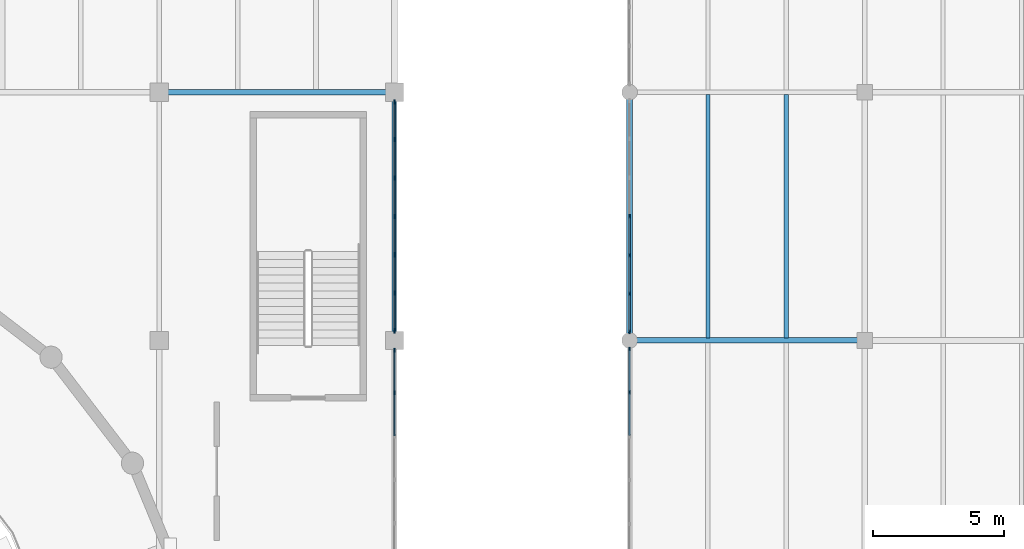
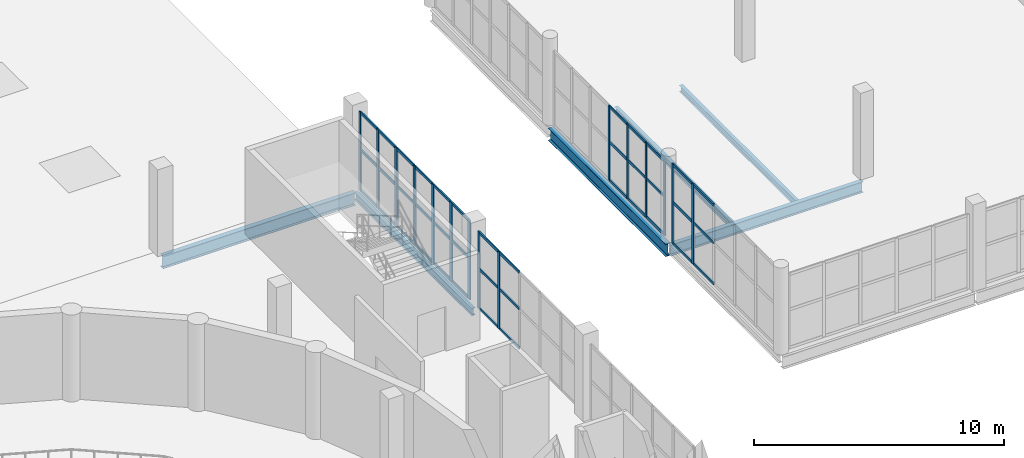
# One storey, part 37 of 73: 54 members, 6 beams, 4 elements without a shape of their own.
"""IFC4 building model written with IfcOpenShell, lengths in metres."""

from ifc_helpers import new_model, si_unit, direction, frame, origin, origin_2d, place, context, subcontext, project, spatial, rectangle, i_section, extrude, material, layer, layer_set, material_profile, profile_set, type_object, element, aggregate, save


model = new_model("IFC4")

# Units and contexts
model_context = context("Model", 3, precision=1e-05, world=origin(), true_north=direction((0.0, 1.0)))
body_context = subcontext(model_context, "Body", "Model", "MODEL_VIEW")
ifc_project = project(units=[si_unit("LENGTHUNIT", "METRE"), si_unit("AREAUNIT", "SQUARE_METRE"), si_unit("VOLUMEUNIT", "CUBIC_METRE"), si_unit("PLANEANGLEUNIT", "RADIAN"), si_unit("MASSUNIT", "GRAM", prefix="KILO")], contexts=[model_context])

# Site, building, storey
site_placement = place(None, origin())
site = spatial("IfcSite", under=ifc_project, at=site_placement, CompositionType="ELEMENT")
building_placement = place(site_placement, origin())
building = spatial("IfcBuilding", under=site, at=building_placement, Name="Marnock Terrace Opera House", CompositionType="ELEMENT")
storey_placement = place(building_placement, frame((0.0, 0.0, 14.699951171875)))
storey = spatial("IfcBuildingStorey", under=building, at=storey_placement, Name="L03", CompositionType="ELEMENT", Elevation=14.699951171875)

# Beams
ifc_material_1 = material(Name="Steel Grade 350 (AS/NZS 3679.1)", Category="steel")
ifc_material_profile_1 = material_profile(ifc_material_1, i_section(OverallWidth=0.1708984375, OverallDepth=0.355712890625, WebThickness=0.00732421875, FlangeThickness=0.011474609375, FilletRadius=0.011474609375, at=origin_2d()))
ifc_profile_set_1 = profile_set([ifc_material_profile_1], Name="Steel Grade 350 (AS/NZS 3679.1)")
beam_type_1 = type_object("IfcBeamType", Name="BM-GIRD-360", PredefinedType="BEAM", material=ifc_profile_set_1)
beam_1_placement = place(storey_placement, frame((109.0, 75.050048828125, -0.437744140625), z_axis=(0.0, 1.0, 0.0), x_axis=(-1.0, 0.0, 0.0)))
element("IfcBeam", 1, at=beam_1_placement, inside=storey, type_object=beam_type_1, Name="L03 girder (X=109.0, 75.0..84.5)", PredefinedType="BEAM", context=body_context, shape_type="SweptSolid", body=[
    extrude(i_section(OverallWidth=0.1708984375, OverallDepth=0.355712890625, WebThickness=0.00732421875, FlangeThickness=0.011474609375, FilletRadius=0.011474609375, at=origin_2d()), origin(), (0.0, 0.0, 1.0), 9.39990234375),
])
ifc_material_profile_2 = material_profile(ifc_material_1, i_section(OverallWidth=0.208984375, OverallDepth=0.532958984375, WebThickness=0.01025390625, FlangeThickness=0.015625, FilletRadius=0.013916015625, at=origin_2d()))
ifc_profile_set_2 = profile_set([ifc_material_profile_2], Name="Steel Grade 350 (AS/NZS 3679.1)")
beam_type_2 = type_object("IfcBeamType", Name="BM-GIRD-530A", PredefinedType="BEAM", material=ifc_profile_set_2)
beam_2_placement = place(storey_placement, frame((118.050048828125, 75.0, -0.5263671875), z_axis=(1.0, 0.0, 0.0), x_axis=(0.0, 1.0, 0.0)))
element("IfcBeam", 2, at=beam_2_placement, inside=storey, type_object=beam_type_2, Name="L03 girder (118.0..127.0, Y=75.0)", PredefinedType="BEAM", context=body_context, shape_type="SweptSolid", body=[
    extrude(i_section(OverallWidth=0.208984375, OverallDepth=0.532958984375, WebThickness=0.01025390625, FlangeThickness=0.015625, FilletRadius=0.013916015625, at=origin_2d()), origin(), (0.0, 0.0, 1.0), 8.89990234375),
])
ifc_material_profile_3 = material_profile(ifc_material_1, i_section(OverallWidth=0.22900390625, OverallDepth=0.611572265625, WebThickness=0.011962890625, FlangeThickness=0.01953125, FilletRadius=0.013916015625, at=origin_2d()))
ifc_profile_set_3 = profile_set([ifc_material_profile_3], Name="Steel Grade 350 (AS/NZS 3679.1)")
beam_type_3 = type_object("IfcBeamType", Name="BM-GIRD-610A", PredefinedType="BEAM", material=ifc_profile_set_3)
beam_3_placement = place(storey_placement, frame((100.050048828125, 84.5, -0.565673828125), z_axis=(1.0, 0.0, 0.0), x_axis=(0.0, 1.0, 0.0)))
element("IfcBeam", 3, at=beam_3_placement, inside=storey, type_object=beam_type_3, Name="L03 girder (100.0..109.0, Y=84.5)", PredefinedType="BEAM", context=body_context, shape_type="SweptSolid", body=[
    extrude(i_section(OverallWidth=0.22900390625, OverallDepth=0.611572265625, WebThickness=0.011962890625, FlangeThickness=0.01953125, FilletRadius=0.013916015625, at=origin_2d()), origin(), (0.0, 0.0, 1.0), 8.89990234375),
])
ifc_material_profile_4 = material_profile(ifc_material_1, i_section(OverallWidth=0.22802734375, OverallDepth=0.60205078125, WebThickness=0.010498046875, FlangeThickness=0.014892578125, FilletRadius=0.013916015625, at=origin_2d()))
ifc_profile_set_4 = profile_set([ifc_material_profile_4], Name="Steel Grade 350 (AS/NZS 3679.1)")
beam_type_4 = type_object("IfcBeamType", Name="BM-GIRD-610C", PredefinedType="BEAM", material=ifc_profile_set_4)
beam_4_placement = place(storey_placement, frame((118.0, 75.050048828125, -0.56103515625), z_axis=(0.0, 1.0, 0.0), x_axis=(-1.0, 0.0, 0.0)))
element("IfcBeam", 4, at=beam_4_placement, inside=storey, type_object=beam_type_4, Name="L03 girder (X=118.0, 75.0..84.5)", PredefinedType="BEAM", context=body_context, shape_type="SweptSolid", body=[
    extrude(i_section(OverallWidth=0.22802734375, OverallDepth=0.60205078125, WebThickness=0.010498046875, FlangeThickness=0.014892578125, FilletRadius=0.013916015625, at=origin_2d()), origin(), (0.0, 0.0, 1.0), 9.39990234375),
])
ifc_material_profile_5 = material_profile(ifc_material_1, i_section(OverallWidth=0.166015625, OverallDepth=0.30712890625, WebThickness=0.006591796875, FlangeThickness=0.01171875, FilletRadius=0.011474609375, at=origin_2d()))
ifc_profile_set_5 = profile_set([ifc_material_profile_5], Name="Steel Grade 350 (AS/NZS 3679.1)")
beam_type_5 = type_object("IfcBeamType", Name="BM-JOIST-310A", PredefinedType="JOIST", material=ifc_profile_set_5)
for number, where, z_axis, x_axis, name in (
    (5, (121.0, 75.099609375, -0.41357421875), (0.0, 1.0, 0.0), (-1.0, 0.0, 0.0), "L03 secondary joist 13.9.1"),
    (6, (124.0, 75.099609375, -0.41357421875), (0.0, 1.0, 0.0), (-1.0, 0.0, 0.0), "L03 secondary joist 13.9.2"),
):
    element("IfcBeam", number, at=place(storey_placement, frame(where, z_axis=z_axis, x_axis=x_axis)), inside=storey, type_object=beam_type_5, Name=name, PredefinedType="JOIST", context=body_context, shape_type="SweptSolid", body=[
        extrude(i_section(OverallWidth=0.166015625, OverallDepth=0.30712890625, WebThickness=0.006591796875, FlangeThickness=0.01171875, FilletRadius=0.011474609375, at=origin_2d()), origin(), (0.0, 0.0, 1.0), 9.309814453125),
    ])

# Curtain wall, members
ifc_material_2 = material(Name="Anodised architectural bronze aluminium framing", Category="aluminium")
ifc_layer_1 = layer(ifc_material_2, 0.159912109375)
ifc_layer_set_1 = layer_set([ifc_layer_1], Name="Anodised architectural bronze aluminium framing")
curtain_wall_type_1 = type_object("IfcCurtainWallType", Name="CW-FOYER-90x42", PredefinedType="NOTDEFINED", material=ifc_layer_set_1)
curtain_wall_1_placement = place(storey_placement, origin())
curtain_wall_1 = element("IfcCurtainWall", 7, at=curtain_wall_1_placement, inside=storey, type_object=curtain_wall_type_1, Name="L03 glazed Beaux-Arts colonnade curtain wall CW-V1E-L03-08", PredefinedType="NOTDEFINED")
ifc_material_profile_6 = material_profile(ifc_material_2, rectangle(XDim=0.06005859375, YDim=0.14990234375, at=origin_2d()))
ifc_profile_set_6 = profile_set([ifc_material_profile_6], Name="Anodised architectural bronze aluminium framing")
member_type_1 = type_object("IfcMemberType", Name="CWM-60x150", PredefinedType="MULLION", material=ifc_profile_set_6)
member_1_placement = place(storey_placement, frame((109.0, 72.992431640625, 0.0), z_axis=(0.0, 0.0, 1.0), x_axis=(-1.0, 0.0, 0.0)))
member_1 = element("IfcMember", 8, at=member_1_placement, type_object=member_type_1, Name="CW-68 mullion 5", PredefinedType="MULLION", context=body_context, shape_type="SweptSolid", body=[
    extrude(rectangle(XDim=0.06005859375, YDim=0.14990234375, at=origin_2d()), origin(), (0.0, 0.0, 1.0), 3.7626953125),
])
member_2_placement = place(storey_placement, frame((109.0, 74.6240234375, 0.0), z_axis=(0.0, 0.0, 1.0), x_axis=(-1.0, 0.0, 0.0)))
member_2 = element("IfcMember", 9, at=member_2_placement, type_object=member_type_1, Name="CW-68 mullion 6", PredefinedType="MULLION", context=body_context, shape_type="SweptSolid", body=[
    extrude(rectangle(XDim=0.06005859375, YDim=0.14990234375, at=origin_2d()), origin(), (0.0, 0.0, 1.0), 3.7626953125),
])

ifc_layer_2 = layer(ifc_material_2, 0.159912109375)
ifc_layer_set_2 = layer_set([ifc_layer_2], Name="Anodised architectural bronze aluminium framing")
curtain_wall_type_2 = type_object("IfcCurtainWallType", Name="CW-LOGGIA-86x42", PredefinedType="NOTDEFINED", material=ifc_layer_set_2)
curtain_wall_2_placement = place(storey_placement, origin())
curtain_wall_2 = element("IfcCurtainWall", 10, at=curtain_wall_2_placement, inside=storey, type_object=curtain_wall_type_2, Name="L03 glazed Beaux-Arts colonnade curtain wall CW-V5-L03-W5", PredefinedType="NOTDEFINED")
member_3_placement = place(storey_placement, frame((118.0, 73.0224609375, 0.0), z_axis=(0.0, 0.0, 1.0), x_axis=(-1.0, 0.0, 0.0)))
member_3 = element("IfcMember", 11, at=member_3_placement, type_object=member_type_1, Name="CW-66 mullion 5", PredefinedType="MULLION", context=body_context, shape_type="SweptSolid", body=[
    extrude(rectangle(XDim=0.06005859375, YDim=0.14990234375, at=origin_2d()), origin(), (0.0, 0.0, 1.0), 3.89453125),
])
member_4_placement = place(storey_placement, frame((118.0, 74.674072265625, 0.0), z_axis=(0.0, 0.0, 1.0), x_axis=(-1.0, 0.0, 0.0)))
member_4 = element("IfcMember", 12, at=member_4_placement, type_object=member_type_1, Name="CW-66 mullion 6", PredefinedType="MULLION", context=body_context, shape_type="SweptSolid", body=[
    extrude(rectangle(XDim=0.06005859375, YDim=0.14990234375, at=origin_2d()), origin(), (0.0, 0.0, 1.0), 3.89453125),
])

ifc_layer_3 = layer(ifc_material_2, 0.159912109375)
ifc_layer_set_3 = layer_set([ifc_layer_3], Name="Anodised architectural bronze aluminium framing")
curtain_wall_type_3 = type_object("IfcCurtainWallType", Name="CW-FOYER-95x42", PredefinedType="NOTDEFINED", material=ifc_layer_set_3)
curtain_wall_3_placement = place(storey_placement, origin())
curtain_wall_3 = element("IfcCurtainWall", 13, at=curtain_wall_3_placement, inside=storey, type_object=curtain_wall_type_3, Name="L03 glazed Beaux-Arts colonnade curtain wall CW-V5-L03-W6", PredefinedType="NOTDEFINED")
member_5_placement = place(storey_placement, frame((118.0, 75.325927734375, 0.0), z_axis=(0.0, 0.0, 1.0), x_axis=(-1.0, 0.0, 0.0)))
member_5 = element("IfcMember", 14, at=member_5_placement, type_object=member_type_1, Name="CW-17 mullion 1", PredefinedType="MULLION", context=body_context, shape_type="SweptSolid", body=[
    extrude(rectangle(XDim=0.06005859375, YDim=0.14990234375, at=origin_2d()), origin(), (0.0, 0.0, 1.0), 3.64794921875),
])
member_6_placement = place(storey_placement, frame((118.0, 76.78076171875, 0.0), z_axis=(0.0, 0.0, 1.0), x_axis=(-1.0, 0.0, 0.0)))
member_6 = element("IfcMember", 15, at=member_6_placement, type_object=member_type_1, Name="CW-17 mullion 2", PredefinedType="MULLION", context=body_context, shape_type="SweptSolid", body=[
    extrude(rectangle(XDim=0.06005859375, YDim=0.14990234375, at=origin_2d()), origin(), (0.0, 0.0, 1.0), 3.64794921875),
])
member_7_placement = place(storey_placement, frame((118.0, 78.265380859375, 0.0), z_axis=(0.0, 0.0, 1.0), x_axis=(-1.0, 0.0, 0.0)))
member_7 = element("IfcMember", 16, at=member_7_placement, type_object=member_type_1, Name="CW-17 mullion 3", PredefinedType="MULLION", context=body_context, shape_type="SweptSolid", body=[
    extrude(rectangle(XDim=0.06005859375, YDim=0.14990234375, at=origin_2d()), origin(), (0.0, 0.0, 1.0), 3.64794921875),
])
member_8_placement = place(storey_placement, frame((118.0, 79.75, 0.0), z_axis=(0.0, 0.0, 1.0), x_axis=(-1.0, 0.0, 0.0)))
member_8 = element("IfcMember", 17, at=member_8_placement, type_object=member_type_1, Name="CW-17 mullion 4", PredefinedType="MULLION", context=body_context, shape_type="SweptSolid", body=[
    extrude(rectangle(XDim=0.06005859375, YDim=0.14990234375, at=origin_2d()), origin(), (0.0, 0.0, 1.0), 3.64794921875),
])

curtain_wall_4_placement = place(storey_placement, origin())
curtain_wall_4 = element("IfcCurtainWall", 18, at=curtain_wall_4_placement, inside=storey, type_object=curtain_wall_type_1, Name="L03 glazed Beaux-Arts colonnade curtain wall CW-V1E-L03-09", PredefinedType="NOTDEFINED")
ifc_material_profile_7 = material_profile(ifc_material_2, rectangle(XDim=0.06494140625, YDim=0.179931640625, at=origin_2d()))
ifc_profile_set_7 = profile_set([ifc_material_profile_7], Name="Anodised architectural bronze aluminium framing")
member_type_2 = type_object("IfcMemberType", Name="CWM-65x180", PredefinedType="MULLION", material=ifc_profile_set_7)
member_9_placement = place(storey_placement, frame((109.0, 75.3759765625, 0.0), z_axis=(0.0, 0.0, 1.0), x_axis=(-1.0, 0.0, 0.0)))
member_9 = element("IfcMember", 19, at=member_9_placement, type_object=member_type_2, Name="CW-68 mullion 1", PredefinedType="MULLION", context=body_context, shape_type="SweptSolid", body=[
    extrude(rectangle(XDim=0.06494140625, YDim=0.179931640625, at=origin_2d()), origin(), (0.0, 0.0, 1.0), 3.864501953125),
])
member_10_placement = place(storey_placement, frame((109.0, 76.81396484375, 0.0), z_axis=(0.0, 0.0, 1.0), x_axis=(-1.0, 0.0, 0.0)))
member_10 = element("IfcMember", 20, at=member_10_placement, type_object=member_type_2, Name="CW-68 mullion 2", PredefinedType="MULLION", context=body_context, shape_type="SweptSolid", body=[
    extrude(rectangle(XDim=0.06494140625, YDim=0.179931640625, at=origin_2d()), origin(), (0.0, 0.0, 1.0), 3.864501953125),
])
member_11_placement = place(storey_placement, frame((109.0, 78.281982421875, 0.0), z_axis=(0.0, 0.0, 1.0), x_axis=(-1.0, 0.0, 0.0)))
member_11 = element("IfcMember", 21, at=member_11_placement, type_object=member_type_2, Name="CW-68 mullion 3", PredefinedType="MULLION", context=body_context, shape_type="SweptSolid", body=[
    extrude(rectangle(XDim=0.06494140625, YDim=0.179931640625, at=origin_2d()), origin(), (0.0, 0.0, 1.0), 3.864501953125),
])
member_12_placement = place(storey_placement, frame((109.0, 79.75, 0.0), z_axis=(0.0, 0.0, 1.0), x_axis=(-1.0, 0.0, 0.0)))
member_12 = element("IfcMember", 22, at=member_12_placement, type_object=member_type_2, Name="CW-68 mullion 4", PredefinedType="MULLION", context=body_context, shape_type="SweptSolid", body=[
    extrude(rectangle(XDim=0.06494140625, YDim=0.179931640625, at=origin_2d()), origin(), (0.0, 0.0, 1.0), 3.864501953125),
])
member_13_placement = place(storey_placement, frame((109.0, 81.218017578125, 0.0), z_axis=(0.0, 0.0, 1.0), x_axis=(-1.0, 0.0, 0.0)))
member_13 = element("IfcMember", 23, at=member_13_placement, type_object=member_type_2, Name="CW-68 mullion 5", PredefinedType="MULLION", context=body_context, shape_type="SweptSolid", body=[
    extrude(rectangle(XDim=0.06494140625, YDim=0.179931640625, at=origin_2d()), origin(), (0.0, 0.0, 1.0), 3.864501953125),
])
member_14_placement = place(storey_placement, frame((109.0, 82.68603515625, 0.0), z_axis=(0.0, 0.0, 1.0), x_axis=(-1.0, 0.0, 0.0)))
member_14 = element("IfcMember", 24, at=member_14_placement, type_object=member_type_2, Name="CW-68 mullion 6", PredefinedType="MULLION", context=body_context, shape_type="SweptSolid", body=[
    extrude(rectangle(XDim=0.06494140625, YDim=0.179931640625, at=origin_2d()), origin(), (0.0, 0.0, 1.0), 3.864501953125),
])
member_15_placement = place(storey_placement, frame((109.0, 84.1240234375, 0.0), z_axis=(0.0, 0.0, 1.0), x_axis=(-1.0, 0.0, 0.0)))
member_15 = element("IfcMember", 25, at=member_15_placement, type_object=member_type_2, Name="CW-68 mullion 7", PredefinedType="MULLION", context=body_context, shape_type="SweptSolid", body=[
    extrude(rectangle(XDim=0.06494140625, YDim=0.179931640625, at=origin_2d()), origin(), (0.0, 0.0, 1.0), 3.864501953125),
])

# Member
ifc_material_profile_8 = material_profile(ifc_material_2, rectangle(XDim=0.06005859375, YDim=0.1298828125, at=origin_2d()))
ifc_profile_set_8 = profile_set([ifc_material_profile_8], Name="Anodised architectural bronze aluminium framing")
member_type_3 = type_object("IfcMemberType", Name="CWT-60x130", PredefinedType="USERDEFINED", material=ifc_profile_set_8)
member_16_placement = place(storey_placement, frame((109.0, 71.36083984375, 0.030029296875), z_axis=(0.0, 1.0, 0.0), x_axis=(-1.0, 0.0, 0.0)))
member_16 = element("IfcMember", 26, at=member_16_placement, type_object=member_type_3, Name="CW-68 transom 4.1", ObjectType="TRANSOM", PredefinedType="USERDEFINED", context=body_context, shape_type="SweptSolid", body=[
    extrude(rectangle(XDim=0.06005859375, YDim=0.1298828125, at=origin_2d()), origin(), (0.0, 0.0, 1.0), 1.6015625),
])

member_17_placement = place(storey_placement, frame((109.0, 71.36083984375, 1.95654296875), z_axis=(0.0, 1.0, 0.0), x_axis=(-1.0, 0.0, 0.0)))
member_17 = element("IfcMember", 27, at=member_17_placement, type_object=member_type_3, Name="CW-68 transom 4.2", ObjectType="TRANSOM", PredefinedType="USERDEFINED", context=body_context, shape_type="SweptSolid", body=[
    extrude(rectangle(XDim=0.06005859375, YDim=0.1298828125, at=origin_2d()), origin(), (0.0, 0.0, 1.0), 1.6015625),
])

member_18_placement = place(storey_placement, frame((109.0, 71.36083984375, 3.732666015625), z_axis=(0.0, 1.0, 0.0), x_axis=(-1.0, 0.0, 0.0)))
member_18 = element("IfcMember", 28, at=member_18_placement, type_object=member_type_3, Name="CW-68 transom 4.3", ObjectType="TRANSOM", PredefinedType="USERDEFINED", context=body_context, shape_type="SweptSolid", body=[
    extrude(rectangle(XDim=0.06005859375, YDim=0.1298828125, at=origin_2d()), origin(), (0.0, 0.0, 1.0), 1.6015625),
])

member_19_placement = place(storey_placement, frame((109.0, 73.0224609375, 0.030029296875), z_axis=(0.0, 1.0, 0.0), x_axis=(-1.0, 0.0, 0.0)))
member_19 = element("IfcMember", 29, at=member_19_placement, type_object=member_type_3, Name="CW-68 transom 5.1", ObjectType="TRANSOM", PredefinedType="USERDEFINED", context=body_context, shape_type="SweptSolid", body=[
    extrude(rectangle(XDim=0.06005859375, YDim=0.1298828125, at=origin_2d()), origin(), (0.0, 0.0, 1.0), 1.571533203125),
])

member_20_placement = place(storey_placement, frame((109.0, 73.0224609375, 1.95654296875), z_axis=(0.0, 1.0, 0.0), x_axis=(-1.0, 0.0, 0.0)))
member_20 = element("IfcMember", 30, at=member_20_placement, type_object=member_type_3, Name="CW-68 transom 5.2", ObjectType="TRANSOM", PredefinedType="USERDEFINED", context=body_context, shape_type="SweptSolid", body=[
    extrude(rectangle(XDim=0.06005859375, YDim=0.1298828125, at=origin_2d()), origin(), (0.0, 0.0, 1.0), 1.571533203125),
])

member_21_placement = place(storey_placement, frame((109.0, 73.0224609375, 3.732666015625), z_axis=(0.0, 1.0, 0.0), x_axis=(-1.0, 0.0, 0.0)))
member_21 = element("IfcMember", 31, at=member_21_placement, type_object=member_type_3, Name="CW-68 transom 5.3", ObjectType="TRANSOM", PredefinedType="USERDEFINED", context=body_context, shape_type="SweptSolid", body=[
    extrude(rectangle(XDim=0.06005859375, YDim=0.1298828125, at=origin_2d()), origin(), (0.0, 0.0, 1.0), 1.571533203125),
])

aggregate(curtain_wall_1, [member_1, member_2, member_16, member_17, member_18, member_19, member_20, member_21])

member_22_placement = place(storey_placement, frame((109.0, 75.406005859375, 0.030029296875), z_axis=(0.0, 1.0, 0.0), x_axis=(-1.0, 0.0, 0.0)))
member_22 = element("IfcMember", 32, at=member_22_placement, type_object=member_type_3, Name="CW-68 transom 1.1", ObjectType="TRANSOM", PredefinedType="USERDEFINED", context=body_context, shape_type="SweptSolid", body=[
    extrude(rectangle(XDim=0.06005859375, YDim=0.1298828125, at=origin_2d()), origin(), (0.0, 0.0, 1.0), 1.3779296875),
])

member_23_placement = place(storey_placement, frame((109.0, 75.406005859375, 2.009521484375), z_axis=(0.0, 1.0, 0.0), x_axis=(-1.0, 0.0, 0.0)))
member_23 = element("IfcMember", 33, at=member_23_placement, type_object=member_type_3, Name="CW-68 transom 1.2", ObjectType="TRANSOM", PredefinedType="USERDEFINED", context=body_context, shape_type="SweptSolid", body=[
    extrude(rectangle(XDim=0.06005859375, YDim=0.1298828125, at=origin_2d()), origin(), (0.0, 0.0, 1.0), 1.3779296875),
])

member_24_placement = place(storey_placement, frame((109.0, 75.406005859375, 3.83447265625), z_axis=(0.0, 1.0, 0.0), x_axis=(-1.0, 0.0, 0.0)))
member_24 = element("IfcMember", 34, at=member_24_placement, type_object=member_type_3, Name="CW-68 transom 1.3", ObjectType="TRANSOM", PredefinedType="USERDEFINED", context=body_context, shape_type="SweptSolid", body=[
    extrude(rectangle(XDim=0.06005859375, YDim=0.1298828125, at=origin_2d()), origin(), (0.0, 0.0, 1.0), 1.3779296875),
])

member_25_placement = place(storey_placement, frame((109.0, 76.843994140625, 0.030029296875), z_axis=(0.0, 1.0, 0.0), x_axis=(-1.0, 0.0, 0.0)))
member_25 = element("IfcMember", 35, at=member_25_placement, type_object=member_type_3, Name="CW-68 transom 2.1", ObjectType="TRANSOM", PredefinedType="USERDEFINED", context=body_context, shape_type="SweptSolid", body=[
    extrude(rectangle(XDim=0.06005859375, YDim=0.1298828125, at=origin_2d()), origin(), (0.0, 0.0, 1.0), 1.407958984375),
])

member_26_placement = place(storey_placement, frame((109.0, 76.843994140625, 2.009521484375), z_axis=(0.0, 1.0, 0.0), x_axis=(-1.0, 0.0, 0.0)))
member_26 = element("IfcMember", 36, at=member_26_placement, type_object=member_type_3, Name="CW-68 transom 2.2", ObjectType="TRANSOM", PredefinedType="USERDEFINED", context=body_context, shape_type="SweptSolid", body=[
    extrude(rectangle(XDim=0.06005859375, YDim=0.1298828125, at=origin_2d()), origin(), (0.0, 0.0, 1.0), 1.407958984375),
])

member_27_placement = place(storey_placement, frame((109.0, 76.843994140625, 3.83447265625), z_axis=(0.0, 1.0, 0.0), x_axis=(-1.0, 0.0, 0.0)))
member_27 = element("IfcMember", 37, at=member_27_placement, type_object=member_type_3, Name="CW-68 transom 2.3", ObjectType="TRANSOM", PredefinedType="USERDEFINED", context=body_context, shape_type="SweptSolid", body=[
    extrude(rectangle(XDim=0.06005859375, YDim=0.1298828125, at=origin_2d()), origin(), (0.0, 0.0, 1.0), 1.407958984375),
])

member_28_placement = place(storey_placement, frame((109.0, 78.31201171875, 0.030029296875), z_axis=(0.0, 1.0, 0.0), x_axis=(-1.0, 0.0, 0.0)))
member_28 = element("IfcMember", 38, at=member_28_placement, type_object=member_type_3, Name="CW-68 transom 3.1", ObjectType="TRANSOM", PredefinedType="USERDEFINED", context=body_context, shape_type="SweptSolid", body=[
    extrude(rectangle(XDim=0.06005859375, YDim=0.1298828125, at=origin_2d()), origin(), (0.0, 0.0, 1.0), 1.407958984375),
])

member_29_placement = place(storey_placement, frame((109.0, 78.31201171875, 2.009521484375), z_axis=(0.0, 1.0, 0.0), x_axis=(-1.0, 0.0, 0.0)))
member_29 = element("IfcMember", 39, at=member_29_placement, type_object=member_type_3, Name="CW-68 transom 3.2", ObjectType="TRANSOM", PredefinedType="USERDEFINED", context=body_context, shape_type="SweptSolid", body=[
    extrude(rectangle(XDim=0.06005859375, YDim=0.1298828125, at=origin_2d()), origin(), (0.0, 0.0, 1.0), 1.407958984375),
])

member_30_placement = place(storey_placement, frame((109.0, 78.31201171875, 3.83447265625), z_axis=(0.0, 1.0, 0.0), x_axis=(-1.0, 0.0, 0.0)))
member_30 = element("IfcMember", 40, at=member_30_placement, type_object=member_type_3, Name="CW-68 transom 3.3", ObjectType="TRANSOM", PredefinedType="USERDEFINED", context=body_context, shape_type="SweptSolid", body=[
    extrude(rectangle(XDim=0.06005859375, YDim=0.1298828125, at=origin_2d()), origin(), (0.0, 0.0, 1.0), 1.407958984375),
])

member_31_placement = place(storey_placement, frame((109.0, 79.780029296875, 0.030029296875), z_axis=(0.0, 1.0, 0.0), x_axis=(-1.0, 0.0, 0.0)))
member_31 = element("IfcMember", 41, at=member_31_placement, type_object=member_type_3, Name="CW-68 transom 4.1", ObjectType="TRANSOM", PredefinedType="USERDEFINED", context=body_context, shape_type="SweptSolid", body=[
    extrude(rectangle(XDim=0.06005859375, YDim=0.1298828125, at=origin_2d()), origin(), (0.0, 0.0, 1.0), 1.407958984375),
])

member_32_placement = place(storey_placement, frame((109.0, 79.780029296875, 2.009521484375), z_axis=(0.0, 1.0, 0.0), x_axis=(-1.0, 0.0, 0.0)))
member_32 = element("IfcMember", 42, at=member_32_placement, type_object=member_type_3, Name="CW-68 transom 4.2", ObjectType="TRANSOM", PredefinedType="USERDEFINED", context=body_context, shape_type="SweptSolid", body=[
    extrude(rectangle(XDim=0.06005859375, YDim=0.1298828125, at=origin_2d()), origin(), (0.0, 0.0, 1.0), 1.407958984375),
])

member_33_placement = place(storey_placement, frame((109.0, 79.780029296875, 3.83447265625), z_axis=(0.0, 1.0, 0.0), x_axis=(-1.0, 0.0, 0.0)))
member_33 = element("IfcMember", 43, at=member_33_placement, type_object=member_type_3, Name="CW-68 transom 4.3", ObjectType="TRANSOM", PredefinedType="USERDEFINED", context=body_context, shape_type="SweptSolid", body=[
    extrude(rectangle(XDim=0.06005859375, YDim=0.1298828125, at=origin_2d()), origin(), (0.0, 0.0, 1.0), 1.407958984375),
])

member_34_placement = place(storey_placement, frame((109.0, 81.248046875, 0.030029296875), z_axis=(0.0, 1.0, 0.0), x_axis=(-1.0, 0.0, 0.0)))
member_34 = element("IfcMember", 44, at=member_34_placement, type_object=member_type_3, Name="CW-68 transom 5.1", ObjectType="TRANSOM", PredefinedType="USERDEFINED", context=body_context, shape_type="SweptSolid", body=[
    extrude(rectangle(XDim=0.06005859375, YDim=0.1298828125, at=origin_2d()), origin(), (0.0, 0.0, 1.0), 1.407958984375),
])

member_35_placement = place(storey_placement, frame((109.0, 81.248046875, 2.009521484375), z_axis=(0.0, 1.0, 0.0), x_axis=(-1.0, 0.0, 0.0)))
member_35 = element("IfcMember", 45, at=member_35_placement, type_object=member_type_3, Name="CW-68 transom 5.2", ObjectType="TRANSOM", PredefinedType="USERDEFINED", context=body_context, shape_type="SweptSolid", body=[
    extrude(rectangle(XDim=0.06005859375, YDim=0.1298828125, at=origin_2d()), origin(), (0.0, 0.0, 1.0), 1.407958984375),
])

member_36_placement = place(storey_placement, frame((109.0, 81.248046875, 3.83447265625), z_axis=(0.0, 1.0, 0.0), x_axis=(-1.0, 0.0, 0.0)))
member_36 = element("IfcMember", 46, at=member_36_placement, type_object=member_type_3, Name="CW-68 transom 5.3", ObjectType="TRANSOM", PredefinedType="USERDEFINED", context=body_context, shape_type="SweptSolid", body=[
    extrude(rectangle(XDim=0.06005859375, YDim=0.1298828125, at=origin_2d()), origin(), (0.0, 0.0, 1.0), 1.407958984375),
])

member_37_placement = place(storey_placement, frame((109.0, 82.716064453125, 0.030029296875), z_axis=(0.0, 1.0, 0.0), x_axis=(-1.0, 0.0, 0.0)))
member_37 = element("IfcMember", 47, at=member_37_placement, type_object=member_type_3, Name="CW-68 transom 6.1", ObjectType="TRANSOM", PredefinedType="USERDEFINED", context=body_context, shape_type="SweptSolid", body=[
    extrude(rectangle(XDim=0.06005859375, YDim=0.1298828125, at=origin_2d()), origin(), (0.0, 0.0, 1.0), 1.3779296875),
])

member_38_placement = place(storey_placement, frame((109.0, 82.716064453125, 2.009521484375), z_axis=(0.0, 1.0, 0.0), x_axis=(-1.0, 0.0, 0.0)))
member_38 = element("IfcMember", 48, at=member_38_placement, type_object=member_type_3, Name="CW-68 transom 6.2", ObjectType="TRANSOM", PredefinedType="USERDEFINED", context=body_context, shape_type="SweptSolid", body=[
    extrude(rectangle(XDim=0.06005859375, YDim=0.1298828125, at=origin_2d()), origin(), (0.0, 0.0, 1.0), 1.3779296875),
])

member_39_placement = place(storey_placement, frame((109.0, 82.716064453125, 3.83447265625), z_axis=(0.0, 1.0, 0.0), x_axis=(-1.0, 0.0, 0.0)))
member_39 = element("IfcMember", 49, at=member_39_placement, type_object=member_type_3, Name="CW-68 transom 6.3", ObjectType="TRANSOM", PredefinedType="USERDEFINED", context=body_context, shape_type="SweptSolid", body=[
    extrude(rectangle(XDim=0.06005859375, YDim=0.1298828125, at=origin_2d()), origin(), (0.0, 0.0, 1.0), 1.3779296875),
])

aggregate(curtain_wall_4, [member_9, member_10, member_11, member_12, member_13, member_14, member_15, member_22, member_23, member_24, member_25, member_26, member_27, member_28, member_29, member_30, member_31, member_32, member_33, member_34, member_35, member_36, member_37, member_38, member_39])

member_40_placement = place(storey_placement, frame((118.0, 71.370849609375, 0.030029296875), z_axis=(0.0, 1.0, 0.0), x_axis=(-1.0, 0.0, 0.0)))
member_40 = element("IfcMember", 50, at=member_40_placement, type_object=member_type_3, Name="CW-66 transom 4.1", ObjectType="TRANSOM", PredefinedType="USERDEFINED", context=body_context, shape_type="SweptSolid", body=[
    extrude(rectangle(XDim=0.06005859375, YDim=0.1298828125, at=origin_2d()), origin(), (0.0, 0.0, 1.0), 1.62158203125),
])

member_41_placement = place(storey_placement, frame((118.0, 71.370849609375, 2.025146484375), z_axis=(0.0, 1.0, 0.0), x_axis=(-1.0, 0.0, 0.0)))
member_41 = element("IfcMember", 51, at=member_41_placement, type_object=member_type_3, Name="CW-66 transom 4.2", ObjectType="TRANSOM", PredefinedType="USERDEFINED", context=body_context, shape_type="SweptSolid", body=[
    extrude(rectangle(XDim=0.06005859375, YDim=0.1298828125, at=origin_2d()), origin(), (0.0, 0.0, 1.0), 1.62158203125),
])

member_42_placement = place(storey_placement, frame((118.0, 71.370849609375, 3.864501953125), z_axis=(0.0, 1.0, 0.0), x_axis=(-1.0, 0.0, 0.0)))
member_42 = element("IfcMember", 52, at=member_42_placement, type_object=member_type_3, Name="CW-66 transom 4.3", ObjectType="TRANSOM", PredefinedType="USERDEFINED", context=body_context, shape_type="SweptSolid", body=[
    extrude(rectangle(XDim=0.06005859375, YDim=0.1298828125, at=origin_2d()), origin(), (0.0, 0.0, 1.0), 1.62158203125),
])

member_43_placement = place(storey_placement, frame((118.0, 73.052490234375, 0.030029296875), z_axis=(0.0, 1.0, 0.0), x_axis=(-1.0, 0.0, 0.0)))
member_43 = element("IfcMember", 53, at=member_43_placement, type_object=member_type_3, Name="CW-66 transom 5.1", ObjectType="TRANSOM", PredefinedType="USERDEFINED", context=body_context, shape_type="SweptSolid", body=[
    extrude(rectangle(XDim=0.06005859375, YDim=0.1298828125, at=origin_2d()), origin(), (0.0, 0.0, 1.0), 1.591552734375),
])

member_44_placement = place(storey_placement, frame((118.0, 73.052490234375, 2.025146484375), z_axis=(0.0, 1.0, 0.0), x_axis=(-1.0, 0.0, 0.0)))
member_44 = element("IfcMember", 54, at=member_44_placement, type_object=member_type_3, Name="CW-66 transom 5.2", ObjectType="TRANSOM", PredefinedType="USERDEFINED", context=body_context, shape_type="SweptSolid", body=[
    extrude(rectangle(XDim=0.06005859375, YDim=0.1298828125, at=origin_2d()), origin(), (0.0, 0.0, 1.0), 1.591552734375),
])

member_45_placement = place(storey_placement, frame((118.0, 73.052490234375, 3.864501953125), z_axis=(0.0, 1.0, 0.0), x_axis=(-1.0, 0.0, 0.0)))
member_45 = element("IfcMember", 55, at=member_45_placement, type_object=member_type_3, Name="CW-66 transom 5.3", ObjectType="TRANSOM", PredefinedType="USERDEFINED", context=body_context, shape_type="SweptSolid", body=[
    extrude(rectangle(XDim=0.06005859375, YDim=0.1298828125, at=origin_2d()), origin(), (0.0, 0.0, 1.0), 1.591552734375),
])

aggregate(curtain_wall_2, [member_3, member_4, member_40, member_41, member_42, member_43, member_44, member_45])

member_46_placement = place(storey_placement, frame((118.0, 75.35595703125, 0.030029296875), z_axis=(0.0, 1.0, 0.0), x_axis=(-1.0, 0.0, 0.0)))
member_46 = element("IfcMember", 56, at=member_46_placement, type_object=member_type_3, Name="CW-17 transom 1.1", ObjectType="TRANSOM", PredefinedType="USERDEFINED", context=body_context, shape_type="SweptSolid", body=[
    extrude(rectangle(XDim=0.06005859375, YDim=0.1298828125, at=origin_2d()), origin(), (0.0, 0.0, 1.0), 1.394775390625),
])

member_47_placement = place(storey_placement, frame((118.0, 75.35595703125, 1.89697265625), z_axis=(0.0, 1.0, 0.0), x_axis=(-1.0, 0.0, 0.0)))
member_47 = element("IfcMember", 57, at=member_47_placement, type_object=member_type_3, Name="CW-17 transom 1.2", ObjectType="TRANSOM", PredefinedType="USERDEFINED", context=body_context, shape_type="SweptSolid", body=[
    extrude(rectangle(XDim=0.06005859375, YDim=0.1298828125, at=origin_2d()), origin(), (0.0, 0.0, 1.0), 1.394775390625),
])

member_48_placement = place(storey_placement, frame((118.0, 75.35595703125, 3.6181640625), z_axis=(0.0, 1.0, 0.0), x_axis=(-1.0, 0.0, 0.0)))
member_48 = element("IfcMember", 58, at=member_48_placement, type_object=member_type_3, Name="CW-17 transom 1.3", ObjectType="TRANSOM", PredefinedType="USERDEFINED", context=body_context, shape_type="SweptSolid", body=[
    extrude(rectangle(XDim=0.06005859375, YDim=0.1298828125, at=origin_2d()), origin(), (0.0, 0.0, 1.0), 1.394775390625),
])

member_49_placement = place(storey_placement, frame((118.0, 76.810546875, 0.030029296875), z_axis=(0.0, 1.0, 0.0), x_axis=(-1.0, 0.0, 0.0)))
member_49 = element("IfcMember", 59, at=member_49_placement, type_object=member_type_3, Name="CW-17 transom 2.1", ObjectType="TRANSOM", PredefinedType="USERDEFINED", context=body_context, shape_type="SweptSolid", body=[
    extrude(rectangle(XDim=0.06005859375, YDim=0.1298828125, at=origin_2d()), origin(), (0.0, 0.0, 1.0), 1.4248046875),
])

member_50_placement = place(storey_placement, frame((118.0, 76.810546875, 1.89697265625), z_axis=(0.0, 1.0, 0.0), x_axis=(-1.0, 0.0, 0.0)))
member_50 = element("IfcMember", 60, at=member_50_placement, type_object=member_type_3, Name="CW-17 transom 2.2", ObjectType="TRANSOM", PredefinedType="USERDEFINED", context=body_context, shape_type="SweptSolid", body=[
    extrude(rectangle(XDim=0.06005859375, YDim=0.1298828125, at=origin_2d()), origin(), (0.0, 0.0, 1.0), 1.4248046875),
])

member_51_placement = place(storey_placement, frame((118.0, 76.810546875, 3.6181640625), z_axis=(0.0, 1.0, 0.0), x_axis=(-1.0, 0.0, 0.0)))
member_51 = element("IfcMember", 61, at=member_51_placement, type_object=member_type_3, Name="CW-17 transom 2.3", ObjectType="TRANSOM", PredefinedType="USERDEFINED", context=body_context, shape_type="SweptSolid", body=[
    extrude(rectangle(XDim=0.06005859375, YDim=0.1298828125, at=origin_2d()), origin(), (0.0, 0.0, 1.0), 1.4248046875),
])

member_52_placement = place(storey_placement, frame((118.0, 78.29541015625, 0.030029296875), z_axis=(0.0, 1.0, 0.0), x_axis=(-1.0, 0.0, 0.0)))
member_52 = element("IfcMember", 62, at=member_52_placement, type_object=member_type_3, Name="CW-17 transom 3.1", ObjectType="TRANSOM", PredefinedType="USERDEFINED", context=body_context, shape_type="SweptSolid", body=[
    extrude(rectangle(XDim=0.06005859375, YDim=0.1298828125, at=origin_2d()), origin(), (0.0, 0.0, 1.0), 1.424560546875),
])

member_53_placement = place(storey_placement, frame((118.0, 78.29541015625, 1.89697265625), z_axis=(0.0, 1.0, 0.0), x_axis=(-1.0, 0.0, 0.0)))
member_53 = element("IfcMember", 63, at=member_53_placement, type_object=member_type_3, Name="CW-17 transom 3.2", ObjectType="TRANSOM", PredefinedType="USERDEFINED", context=body_context, shape_type="SweptSolid", body=[
    extrude(rectangle(XDim=0.06005859375, YDim=0.1298828125, at=origin_2d()), origin(), (0.0, 0.0, 1.0), 1.424560546875),
])

member_54_placement = place(storey_placement, frame((118.0, 78.29541015625, 3.6181640625), z_axis=(0.0, 1.0, 0.0), x_axis=(-1.0, 0.0, 0.0)))
member_54 = element("IfcMember", 64, at=member_54_placement, type_object=member_type_3, Name="CW-17 transom 3.3", ObjectType="TRANSOM", PredefinedType="USERDEFINED", context=body_context, shape_type="SweptSolid", body=[
    extrude(rectangle(XDim=0.06005859375, YDim=0.1298828125, at=origin_2d()), origin(), (0.0, 0.0, 1.0), 1.424560546875),
])

aggregate(curtain_wall_3, [member_5, member_6, member_7, member_8, member_46, member_47, member_48, member_49, member_50, member_51, member_52, member_53, member_54])

save(model, "model.ifc")
